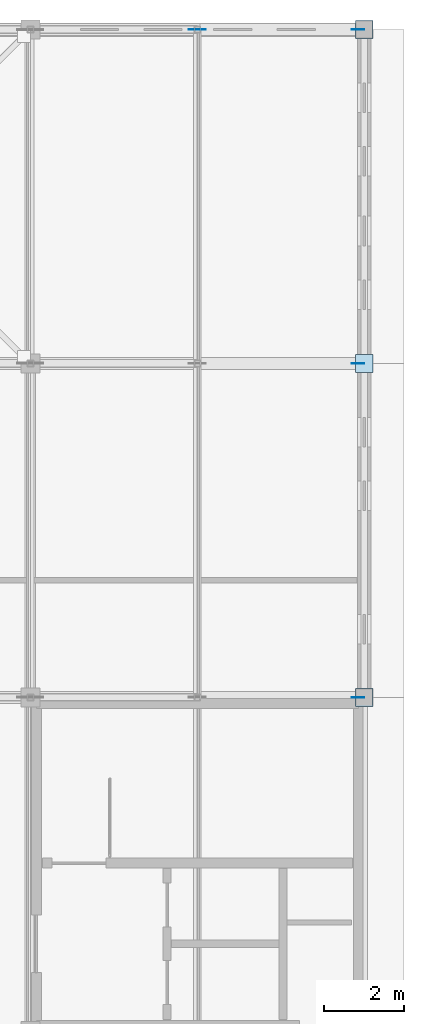
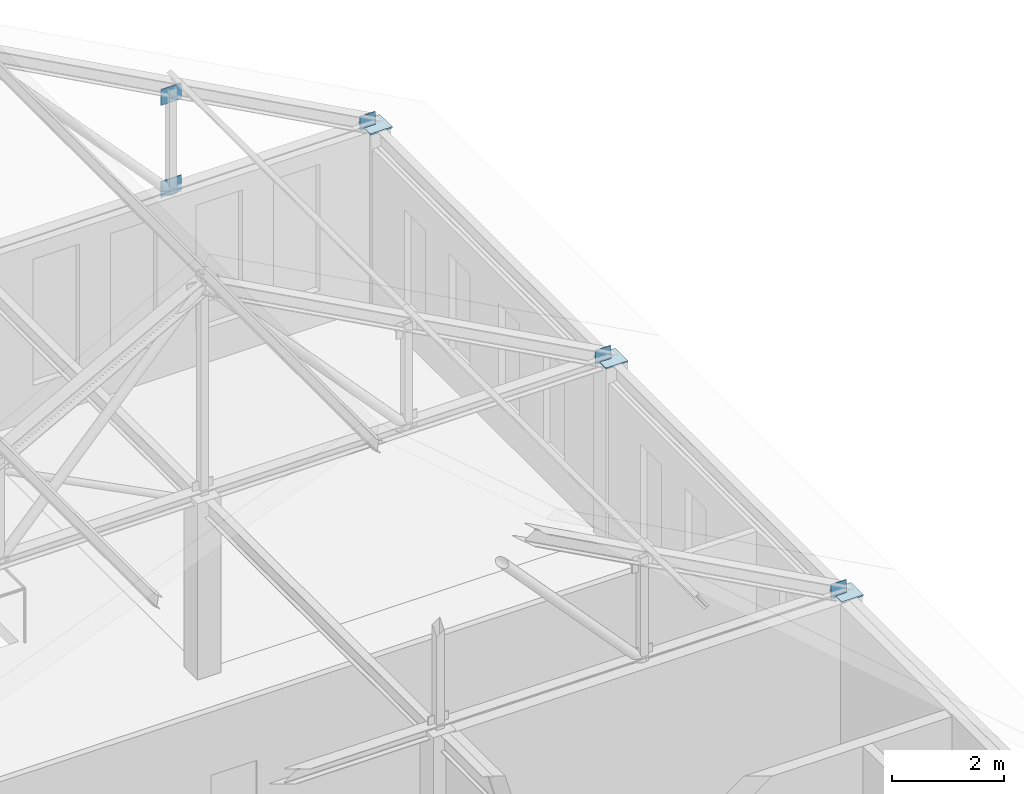
# One storey, part 29 of 36: 8 plates.
"""IFC4 building model written with IfcOpenShell, lengths in metres."""

from ifc_helpers import new_model, si_unit, direction, frame, origin, origin_2d, place, context, subcontext, project, spatial, rectangle, extrude, material, layer, layer_set, type_object, element, save


model = new_model("IFC4")

# Units and contexts
model_context = context("Model", 3, precision=1e-05, world=origin(), true_north=direction((0.0, 1.0)))
body_context = subcontext(model_context, "Body", "Model", "MODEL_VIEW")
ifc_project = project(units=[si_unit("LENGTHUNIT", "METRE"), si_unit("AREAUNIT", "SQUARE_METRE"), si_unit("VOLUMEUNIT", "CUBIC_METRE"), si_unit("PLANEANGLEUNIT", "RADIAN"), si_unit("MASSUNIT", "GRAM", prefix="KILO")], contexts=[model_context])

# Site, building, storey
site_placement = place(None, origin())
site = spatial("IfcSite", under=ifc_project, at=site_placement, CompositionType="ELEMENT")
building_placement = place(site_placement, origin())
building = spatial("IfcBuilding", under=site, at=building_placement, Name="Kveldsbrygga Polytechnic", CompositionType="ELEMENT")
storey_placement = place(building_placement, frame((0.0, 0.0, 26.179931640625)))
storey = spatial("IfcBuildingStorey", under=building, at=storey_placement, Name="L06", CompositionType="ELEMENT", Elevation=26.179931640625)

# Plates
ifc_material = material(Name="Steel S355", Category="steel")
ifc_layer_1 = layer(ifc_material, 0.030029296875)
ifc_layer_set_1 = layer_set([ifc_layer_1], Name="Steel S355")
plate_type_1 = type_object("IfcPlateType", Name="CAP-BEAR-450", PredefinedType="SHEET", material=ifc_layer_set_1)
for number, where, z_axis, x_axis, name in (
    (1, (159.60009765625, 84.0, 3.81005859375), (0.0, 0.0, 1.0), (1.0, 0.0, 0.0), "Truss Bearing Plate V4M2-T09-B"),
    (2, (159.60009765625, 92.39990234375, 3.81005859375), (0.0, 0.0, 1.0), (1.0, 0.0, 0.0), "Truss Bearing Plate V4M2-T10-B"),
    (3, (159.60009765625, 100.800048828125, 3.81005859375), (0.0, 0.0, 1.0), (1.0, 0.0, 0.0), "Truss Bearing Plate V4M2-T11-B"),
):
    element("IfcPlate", number, at=place(storey_placement, frame(where, z_axis=z_axis, x_axis=x_axis)), inside=storey, type_object=plate_type_1, Name=name, PredefinedType="SHEET", context=body_context, shape_type="SweptSolid", body=[
        extrude(rectangle(XDim=0.449951171875, YDim=0.449951171875, at=origin_2d()), origin(), (0.0, 0.0, 1.0), 0.030029296875),
    ])
ifc_layer_2 = layer(ifc_material, 0.01806640625)
ifc_layer_set_2 = layer_set([ifc_layer_2], Name="Steel S355")
plate_type_2 = type_object("IfcPlateType", Name="GUS-BRACE-320", PredefinedType="SHEET", material=ifc_layer_set_2)
for number, where, z_axis, x_axis, name in (
    (4, (159.43994140625, 84.0, 3.7998046875), (0.0, 0.0, 1.0), (1.0, 0.0, 0.0), "Truss Eaves Node Gusset V4M2-T09-EGP-B"),
    (5, (159.43994140625, 92.39990234375, 3.7998046875), (0.0, 0.0, 1.0), (1.0, 0.0, 0.0), "Truss Eaves Node Gusset V4M2-T10-EGP-B"),
    (6, (159.43994140625, 100.800048828125, 3.7998046875), (0.0, 0.0, 1.0), (1.0, 0.0, 0.0), "Truss Eaves Node Gusset V4M2-T11-EGP-B"),
):
    element("IfcPlate", number, at=place(storey_placement, frame(where, z_axis=z_axis, x_axis=x_axis)), inside=storey, type_object=plate_type_2, Name=name, PredefinedType="SHEET", context=body_context, shape_type="SweptSolid", body=[
        extrude(rectangle(XDim=0.320068359375, YDim=0.01806640625, at=origin_2d()), origin(), (0.0, 0.0, 1.0), 0.320068359375),
    ])
ifc_layer_3 = layer(ifc_material, 0.02001953125)
ifc_layer_set_3 = layer_set([ifc_layer_3], Name="Steel S355")
plate_type_3 = type_object("IfcPlateType", Name="GUS-LECT-420", PredefinedType="SHEET", material=ifc_layer_set_3)
for number, where, z_axis, x_axis, name in (
    (7, (155.39990234375, 100.800048828125, 5.7900390625), (0.0, 0.0, 1.0), (1.0, 0.0, 0.0), "Truss Gusset Plate V4M2-T11-GP-3"),
    (8, (155.39990234375, 100.800048828125, 3.784912109375), (0.0, 0.0, 1.0), (1.0, 0.0, 0.0), "Truss Bottom-Chord Node Gusset V4M2-T11-BGP-3"),
):
    element("IfcPlate", number, at=place(storey_placement, frame(where, z_axis=z_axis, x_axis=x_axis)), inside=storey, type_object=plate_type_3, Name=name, PredefinedType="SHEET", context=body_context, shape_type="SweptSolid", body=[
        extrude(rectangle(XDim=0.419921875, YDim=0.02001953125, at=origin_2d()), origin(), (0.0, 0.0, 1.0), 0.35009765625),
    ])

save(model, "model.ifc")
